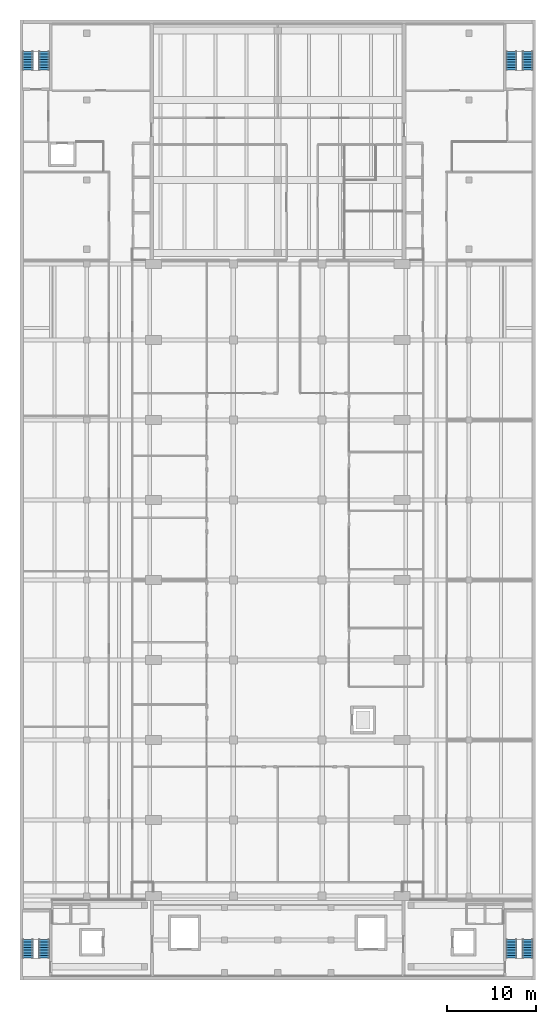
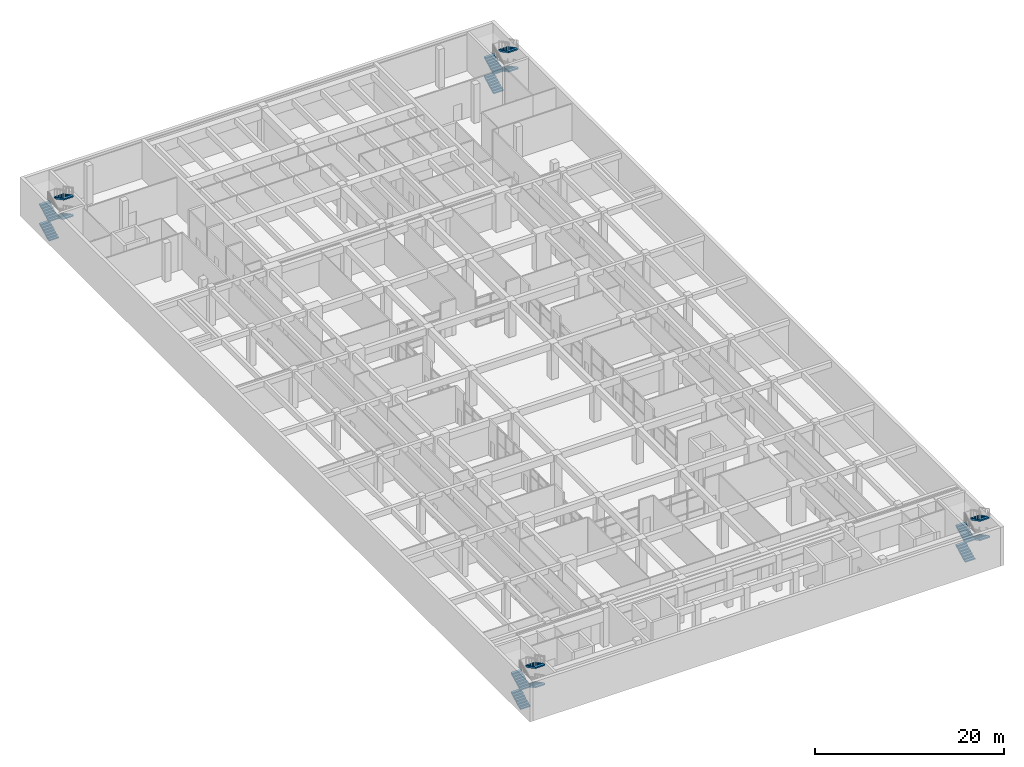
# One storey, part 26 of 29: 16 stair flights, 4 elements without a shape of their own.
"""IFC4 building model written with IfcOpenShell, lengths in metres."""

import ifcopenshell
import ifcopenshell.guid

model = None  # the IFC model being written
_history = None  # IfcOwnerHistory: only IFC2X3 demands one
_inside = {}  # id of a spatial element -> (the spatial element, [elements in it])
_under = {}  # id of a project, library or spatial element -> (it, [spatial elements below it])
_declared = {}  # id of a project -> (the project, [libraries it declares])
_typed = {}  # id of a type object -> (the type object, [elements of that type])
_made_of = {}  # id of a material, layer set ... -> (it, [elements and type objects made of it])


def new_model(schema):
    """Start an empty IFC model of exactly this schema.

    Asked for "IFC4X3", IfcOpenShell would pick the latest addendum, in which some entities
    have other attributes; the version numbers below select the first issue.
    IFC2X3 requires an IfcOwnerHistory on every rooted entity: one is made here for all.
    """
    global model, _history
    if schema == "IFC4X3":
        model = ifcopenshell.file(schema_version=(4, 3, 0, 0))
    else:
        model = ifcopenshell.file(schema=schema)
    _inside.clear()
    _under.clear()
    _declared.clear()
    _typed.clear()
    _made_of.clear()
    _history = None
    if model.schema == "IFC2X3":
        org = make("IfcOrganization", Name="unknown")
        user = make(
            "IfcPersonAndOrganization",
            ThePerson=make("IfcPerson", FamilyName="unknown"),
            TheOrganization=org,
        )
        app = make(
            "IfcApplication",
            ApplicationDeveloper=org,
            Version="unknown",
            ApplicationFullName="unknown",
            ApplicationIdentifier="unknown",
        )
        _history = make(
            "IfcOwnerHistory",
            OwningUser=user,
            OwningApplication=app,
            ChangeAction="ADDED",
            CreationDate=0,
        )
    return model


def make(cls, **values):
    """One entity of the class cls with the attributes given. An attribute that is None is left unset."""
    return model.create_entity(
        cls, **{name: value for name, value in values.items() if value is not None}
    )


def rooted(cls, **values):
    """An entity with a GlobalId (a new one), such as an element, a storey or a relation."""
    return make(cls, GlobalId=ifcopenshell.guid.new(), OwnerHistory=_history, **values)


def si_unit(unit_type, name, prefix=None):
    """IfcSIUnit, for example si_unit("LENGTHUNIT", "METRE", prefix="MILLI")."""
    return make("IfcSIUnit", UnitType=unit_type, Prefix=prefix, Name=name)


def assignment(units):
    """IfcUnitAssignment: the units of a project."""
    return None if units is None else make("IfcUnitAssignment", Units=units)


def point(xyz):
    """IfcCartesianPoint."""
    return None if xyz is None else make("IfcCartesianPoint", Coordinates=xyz)


def direction(xyz):
    """IfcDirection."""
    return None if xyz is None else make("IfcDirection", DirectionRatios=xyz)


def frame(location, z_axis=None, x_axis=None):
    """IfcAxis2Placement3D, a coordinate frame: its origin and axes. An axis left out is left unset."""
    return make(
        "IfcAxis2Placement3D",
        Location=point(location),
        Axis=direction(z_axis),
        RefDirection=direction(x_axis),
    )


def origin():
    """The frame at (0, 0, 0) with its axes left unset."""
    return frame((0.0, 0.0, 0.0))


def place(relative_to, where):
    """IfcLocalPlacement: puts the frame where relative to a parent placement (None: the world)."""
    return make(
        "IfcLocalPlacement", PlacementRelTo=relative_to, RelativePlacement=where
    )


def context(
    kind, dimensions, precision=None, world=None, true_north=None, identifier=None
):
    """IfcGeometricRepresentationContext, for example the 3D "Model" context."""
    return make(
        "IfcGeometricRepresentationContext",
        ContextIdentifier=identifier,
        ContextType=kind,
        CoordinateSpaceDimension=dimensions,
        Precision=precision,
        WorldCoordinateSystem=world,
        TrueNorth=true_north,
    )


def subcontext(parent, identifier, kind, view, scale=None):
    """IfcGeometricRepresentationSubContext, for example "Body" below "Model"."""
    return make(
        "IfcGeometricRepresentationSubContext",
        ContextIdentifier=identifier,
        ContextType=kind,
        ParentContext=parent,
        TargetScale=scale,
        TargetView=view,
    )


def project(units=None, contexts=None):
    """IfcProject with its units and contexts."""
    return rooted(
        "IfcProject",
        Name="project",
        RepresentationContexts=contexts,
        UnitsInContext=assignment(units),
    )


def spatial(cls, under=None, at=None, **own):
    """A site, building, storey or space (cls), placed at a placement, below another one or the project."""
    s = rooted(cls, ObjectPlacement=at, **own)
    if under is not None:
        _under.setdefault(under.id(), (under, []))[1].append(s)
    return s


def polyline(points):
    """IfcPolyline through the points."""
    return make("IfcPolyline", Points=[point(p) for p in points])


def outline(outer, holes=None, kind="AREA"):
    """IfcArbitraryClosedProfileDef: a profile drawn as a closed curve; with holes, ...WithVoids."""
    if holes is None:
        return make("IfcArbitraryClosedProfileDef", ProfileType=kind, OuterCurve=outer)
    return make(
        "IfcArbitraryProfileDefWithVoids",
        ProfileType=kind,
        OuterCurve=outer,
        InnerCurves=holes,
    )


def extrude(swept, where, along, depth):
    """IfcExtrudedAreaSolid: the profile swept, set in the frame where, extruded along a direction by depth."""
    return make(
        "IfcExtrudedAreaSolid",
        SweptArea=swept,
        Position=where,
        ExtrudedDirection=direction(along),
        Depth=depth,
    )


def shape(context_of_items, identifier, shape_type, items):
    """IfcShapeRepresentation: the items that make up one representation, for example the "Body"."""
    return make(
        "IfcShapeRepresentation",
        ContextOfItems=context_of_items,
        RepresentationIdentifier=identifier,
        RepresentationType=shape_type,
        Items=items,
    )


def material(Name=None, Category=None):
    """IfcMaterial."""
    return make("IfcMaterial", Name=Name, Category=Category)


def made_of(thing, what):
    """Note that an element or type object is made of a material, layer set ...; save() writes the relation."""
    if what is not None:
        _made_of.setdefault(what.id(), (what, []))[1].append(thing)
    return thing


def type_object(cls, material=None, **own):
    """A type object (cls), such as IfcWallType, which elements share."""
    return made_of(rooted(cls, **own), material)


def element(
    cls,
    number,
    at=None,
    inside=None,
    cuts=None,
    type_object=None,
    material=None,
    context=None,
    identifier="Body",
    shape_type=None,
    held_by="IfcProductDefinitionShape",
    body=None,
    shapes=None,
    **own,
):
    """One element of the class cls, such as IfcWall. Its Tag is "e" and its number.

    at: its placement. inside: the storey or other place that contains it. cuts: it is an
    opening in that element (IfcRelVoidsElement). A single representation is given by context,
    identifier, shape_type and body (its items); several are given by shapes. held_by: the class
    of the entity that holds the representations. save() writes the other relations.
    """
    e = rooted(cls, Tag="e%d" % number, ObjectPlacement=at, **own)
    if body is not None:
        shapes = [shape(context, identifier, shape_type, body)]
    if shapes is not None:
        e.Representation = make(held_by, Representations=shapes)
    if inside is not None:
        _inside.setdefault(inside.id(), (inside, []))[1].append(e)
    if cuts is not None:
        rooted(
            "IfcRelVoidsElement", RelatingBuildingElement=cuts, RelatedOpeningElement=e
        )
    if type_object is not None:
        _typed.setdefault(type_object.id(), (type_object, []))[1].append(e)
    return made_of(e, material)


def aggregate(whole, parts):
    """IfcRelAggregates: a whole, such as a stair, and the parts it consists of."""
    return rooted("IfcRelAggregates", RelatingObject=whole, RelatedObjects=parts)


def save(model, path):
    """Write the relations noted so far, then the file.

    IfcRelAggregates (storeys below a building ...), IfcRelContainedInSpatialStructure (elements
    in a storey), IfcRelDefinesByType, IfcRelAssociatesMaterial and IfcRelDeclares: one each for
    every whole, place, type object, material and project.
    """
    for whole, parts in _under.values():
        aggregate(whole, parts)
    for where, things in _inside.values():
        rooted(
            "IfcRelContainedInSpatialStructure",
            RelatedElements=things,
            RelatingStructure=where,
        )
    for kind, things in _typed.values():
        rooted("IfcRelDefinesByType", RelatedObjects=things, RelatingType=kind)
    for what, things in _made_of.values():
        rooted("IfcRelAssociatesMaterial", RelatedObjects=things, RelatingMaterial=what)
    for by, libraries in _declared.values():
        rooted("IfcRelDeclares", RelatingContext=by, RelatedDefinitions=libraries)
    model.write(path)


model = new_model("IFC4")

# Units and contexts
model_context = context("Model", 3, precision=1e-05, world=origin(), true_north=direction((0.0, 1.0)))
body_context = subcontext(model_context, "Body", "Model", "MODEL_VIEW")
ifc_project = project(units=[si_unit("LENGTHUNIT", "METRE"), si_unit("AREAUNIT", "SQUARE_METRE"), si_unit("VOLUMEUNIT", "CUBIC_METRE"), si_unit("PLANEANGLEUNIT", "RADIAN"), si_unit("MASSUNIT", "GRAM", prefix="KILO")], contexts=[model_context])

# Site, building, storey
site_placement = place(None, origin())
site = spatial("IfcSite", under=ifc_project, at=site_placement, CompositionType="ELEMENT")
building_placement = place(site_placement, origin())
building = spatial("IfcBuilding", under=site, at=building_placement, Name="Elmora Arch Market Hall", CompositionType="ELEMENT")
storey_placement = place(building_placement, frame((0.0, 0.0, -5.0)))
storey = spatial("IfcBuildingStorey", under=building, at=storey_placement, Name="LG", CompositionType="ELEMENT", Elevation=-5.0)

# Stair, stair flights
ifc_material_1 = material(Name="Concrete C40/50", Category="concrete")
stair_type = type_object("IfcStairType", Name="Exit stair 1200", PredefinedType="TWO_STRAIGHT_RUN_STAIR", material=ifc_material_1)
stair_1_placement = place(storey_placement, origin())
stair_1 = element("IfcStair", 1, at=stair_1_placement, inside=storey, type_object=stair_type, Name="Stair ST-W LG", PredefinedType="TWO_STRAIGHT_RUN_STAIR")
ifc_material_2 = material(Name="Concrete C40/50", Category="concrete")
stair_flight_type = type_object("IfcStairFlightType", Name="Stair flight 1200", PredefinedType="STRAIGHT", material=ifc_material_2)
stair_flight_1_placement = place(storey_placement, frame((0.89990234375, 120.35009765625, 0.0), z_axis=(0.0, 0.0, 1.0), x_axis=(0.0, 1.0, 0.0)))
stair_flight_1 = element("IfcStairFlight", 2, at=stair_flight_1_placement, type_object=stair_flight_type, Name="Stair ST-W LG flight 1", NumberOfRisers=8, NumberOfTreads=7, PredefinedType="STRAIGHT", RiserHeight=0.15625, TreadLength=0.3, context=body_context, shape_type="SweptSolid", body=[
    extrude(outline(polyline([(0.0, 0.0), (0.0, 0.15625), (0.300048828125, 0.15625), (0.300048828125, 0.3125), (0.60009765625, 0.3125), (0.60009765625, 0.46875), (0.89990234375, 0.46875), (0.89990234375, 0.625), (1.199951171875, 0.625), (1.199951171875, 0.78125), (1.5, 0.78125), (1.5, 0.9375), (1.800048828125, 0.9375), (1.800048828125, 1.09375), (2.10009765625, 1.09375), (2.10009765625, 1.25), (2.10009765625, 0.9248046875), (0.324462890625, 0.0), (0.0, 0.0)])), frame((0.0, 0.60009765625, 0.0), z_axis=(0.0, -1.0, 0.0), x_axis=(1.0, 0.0, 0.0)), (0.0, 0.0, 1.0), 1.199951171875),
])
stair_flight_2_placement = place(storey_placement, frame((2.699951171875, 122.449951171875, 1.25), z_axis=(0.0, 0.0, 1.0), x_axis=(0.0, -1.0, 0.0)))
stair_flight_2 = element("IfcStairFlight", 3, at=stair_flight_2_placement, type_object=stair_flight_type, Name="Stair ST-W LG flight 2", NumberOfRisers=8, NumberOfTreads=7, PredefinedType="STRAIGHT", RiserHeight=0.15625, TreadLength=0.3, context=body_context, shape_type="SweptSolid", body=[
    extrude(outline(polyline([(0.0, 0.0), (0.0, 0.15625), (0.300048828125, 0.15625), (0.300048828125, 0.3125), (0.60009765625, 0.3125), (0.60009765625, 0.46875), (0.89990234375, 0.46875), (0.89990234375, 0.625), (1.199951171875, 0.625), (1.199951171875, 0.78125), (1.5, 0.78125), (1.5, 0.9375), (1.800048828125, 0.9375), (1.800048828125, 1.09375), (2.10009765625, 1.09375), (2.10009765625, 1.25), (2.10009765625, 0.9248046875), (0.324462890625, 0.0), (0.0, 0.0)])), frame((0.0, 0.60009765625, 0.0), z_axis=(0.0, -1.0, 0.0), x_axis=(1.0, 0.0, 0.0)), (0.0, 0.0, 1.0), 1.199951171875),
])
stair_flight_3_placement = place(storey_placement, frame((0.89990234375, 120.35009765625, 2.5), z_axis=(0.0, 0.0, 1.0), x_axis=(0.0, 1.0, 0.0)))
stair_flight_3 = element("IfcStairFlight", 4, at=stair_flight_3_placement, type_object=stair_flight_type, Name="Stair ST-W LG flight 3", NumberOfRisers=8, NumberOfTreads=7, PredefinedType="STRAIGHT", RiserHeight=0.15625, TreadLength=0.3, context=body_context, shape_type="SweptSolid", body=[
    extrude(outline(polyline([(0.0, 0.0), (0.0, 0.15625), (0.300048828125, 0.15625), (0.300048828125, 0.3125), (0.60009765625, 0.3125), (0.60009765625, 0.46875), (0.89990234375, 0.46875), (0.89990234375, 0.625), (1.199951171875, 0.625), (1.199951171875, 0.78125), (1.5, 0.78125), (1.5, 0.9375), (1.800048828125, 0.9375), (1.800048828125, 1.09375), (2.10009765625, 1.09375), (2.10009765625, 1.25), (2.10009765625, 0.9248046875), (0.324462890625, 0.0), (0.0, 0.0)])), frame((0.0, 0.60009765625, 0.0), z_axis=(0.0, -1.0, 0.0), x_axis=(1.0, 0.0, 0.0)), (0.0, 0.0, 1.0), 1.199951171875),
])
stair_flight_4_placement = place(storey_placement, frame((2.699951171875, 122.449951171875, 3.75), z_axis=(0.0, 0.0, 1.0), x_axis=(0.0, -1.0, 0.0)))
stair_flight_4 = element("IfcStairFlight", 5, at=stair_flight_4_placement, type_object=stair_flight_type, Name="Stair ST-W LG flight 4", NumberOfRisers=8, NumberOfTreads=7, PredefinedType="STRAIGHT", RiserHeight=0.15625, TreadLength=0.3, context=body_context, shape_type="SweptSolid", body=[
    extrude(outline(polyline([(0.0, 0.0), (0.0, 0.15625), (0.300048828125, 0.15625), (0.300048828125, 0.3125), (0.60009765625, 0.3125), (0.60009765625, 0.46875), (0.89990234375, 0.46875), (0.89990234375, 0.625), (1.199951171875, 0.625), (1.199951171875, 0.78125), (1.5, 0.78125), (1.5, 0.9375), (1.800048828125, 0.9375), (1.800048828125, 1.09375), (2.10009765625, 1.09375), (2.10009765625, 1.25), (2.10009765625, 0.9248046875), (0.324462890625, 0.0), (0.0, 0.0)])), frame((0.0, 0.60009765625, 0.0), z_axis=(0.0, -1.0, 0.0), x_axis=(1.0, 0.0, 0.0)), (0.0, 0.0, 1.0), 1.199951171875),
])
aggregate(stair_1, [stair_flight_1, stair_flight_2, stair_flight_3, stair_flight_4])

stair_2_placement = place(storey_placement, origin())
stair_2 = element("IfcStair", 6, at=stair_2_placement, inside=storey, type_object=stair_type, Name="Stair ST-E LG", PredefinedType="TWO_STRAIGHT_RUN_STAIR")
stair_flight_5_placement = place(storey_placement, frame((55.300048828125, 120.35009765625, 0.0), z_axis=(0.0, 0.0, 1.0), x_axis=(0.0, 1.0, 0.0)))
stair_flight_5 = element("IfcStairFlight", 7, at=stair_flight_5_placement, type_object=stair_flight_type, Name="Stair ST-E LG flight 1", NumberOfRisers=8, NumberOfTreads=7, PredefinedType="STRAIGHT", RiserHeight=0.15625, TreadLength=0.3, context=body_context, shape_type="SweptSolid", body=[
    extrude(outline(polyline([(0.0, 0.0), (0.0, 0.15625), (0.300048828125, 0.15625), (0.300048828125, 0.3125), (0.60009765625, 0.3125), (0.60009765625, 0.46875), (0.89990234375, 0.46875), (0.89990234375, 0.625), (1.199951171875, 0.625), (1.199951171875, 0.78125), (1.5, 0.78125), (1.5, 0.9375), (1.800048828125, 0.9375), (1.800048828125, 1.09375), (2.10009765625, 1.09375), (2.10009765625, 1.25), (2.10009765625, 0.9248046875), (0.324462890625, 0.0), (0.0, 0.0)])), frame((0.0, 0.60009765625, 0.0), z_axis=(0.0, -1.0, 0.0), x_axis=(1.0, 0.0, 0.0)), (0.0, 0.0, 1.0), 1.199951171875),
])
stair_flight_6_placement = place(storey_placement, frame((57.10009765625, 122.449951171875, 1.25), z_axis=(0.0, 0.0, 1.0), x_axis=(0.0, -1.0, 0.0)))
stair_flight_6 = element("IfcStairFlight", 8, at=stair_flight_6_placement, type_object=stair_flight_type, Name="Stair ST-E LG flight 2", NumberOfRisers=8, NumberOfTreads=7, PredefinedType="STRAIGHT", RiserHeight=0.15625, TreadLength=0.3, context=body_context, shape_type="SweptSolid", body=[
    extrude(outline(polyline([(0.0, 0.0), (0.0, 0.15625), (0.300048828125, 0.15625), (0.300048828125, 0.3125), (0.60009765625, 0.3125), (0.60009765625, 0.46875), (0.89990234375, 0.46875), (0.89990234375, 0.625), (1.199951171875, 0.625), (1.199951171875, 0.78125), (1.5, 0.78125), (1.5, 0.9375), (1.800048828125, 0.9375), (1.800048828125, 1.09375), (2.10009765625, 1.09375), (2.10009765625, 1.25), (2.10009765625, 0.9248046875), (0.324462890625, 0.0), (0.0, 0.0)])), frame((0.0, 0.60009765625, 0.0), z_axis=(0.0, -1.0, 0.0), x_axis=(1.0, 0.0, 0.0)), (0.0, 0.0, 1.0), 1.199951171875),
])
stair_flight_7_placement = place(storey_placement, frame((55.300048828125, 120.35009765625, 2.5), z_axis=(0.0, 0.0, 1.0), x_axis=(0.0, 1.0, 0.0)))
stair_flight_7 = element("IfcStairFlight", 9, at=stair_flight_7_placement, type_object=stair_flight_type, Name="Stair ST-E LG flight 3", NumberOfRisers=8, NumberOfTreads=7, PredefinedType="STRAIGHT", RiserHeight=0.15625, TreadLength=0.3, context=body_context, shape_type="SweptSolid", body=[
    extrude(outline(polyline([(0.0, 0.0), (0.0, 0.15625), (0.300048828125, 0.15625), (0.300048828125, 0.3125), (0.60009765625, 0.3125), (0.60009765625, 0.46875), (0.89990234375, 0.46875), (0.89990234375, 0.625), (1.199951171875, 0.625), (1.199951171875, 0.78125), (1.5, 0.78125), (1.5, 0.9375), (1.800048828125, 0.9375), (1.800048828125, 1.09375), (2.10009765625, 1.09375), (2.10009765625, 1.25), (2.10009765625, 0.9248046875), (0.324462890625, 0.0), (0.0, 0.0)])), frame((0.0, 0.60009765625, 0.0), z_axis=(0.0, -1.0, 0.0), x_axis=(1.0, 0.0, 0.0)), (0.0, 0.0, 1.0), 1.199951171875),
])
stair_flight_8_placement = place(storey_placement, frame((57.10009765625, 122.449951171875, 3.75), z_axis=(0.0, 0.0, 1.0), x_axis=(0.0, -1.0, 0.0)))
stair_flight_8 = element("IfcStairFlight", 10, at=stair_flight_8_placement, type_object=stair_flight_type, Name="Stair ST-E LG flight 4", NumberOfRisers=8, NumberOfTreads=7, PredefinedType="STRAIGHT", RiserHeight=0.15625, TreadLength=0.3, context=body_context, shape_type="SweptSolid", body=[
    extrude(outline(polyline([(0.0, 0.0), (0.0, 0.15625), (0.300048828125, 0.15625), (0.300048828125, 0.3125), (0.60009765625, 0.3125), (0.60009765625, 0.46875), (0.89990234375, 0.46875), (0.89990234375, 0.625), (1.199951171875, 0.625), (1.199951171875, 0.78125), (1.5, 0.78125), (1.5, 0.9375), (1.800048828125, 0.9375), (1.800048828125, 1.09375), (2.10009765625, 1.09375), (2.10009765625, 1.25), (2.10009765625, 0.9248046875), (0.324462890625, 0.0), (0.0, 0.0)])), frame((0.0, 0.60009765625, 0.0), z_axis=(0.0, -1.0, 0.0), x_axis=(1.0, 0.0, 0.0)), (0.0, 0.0, 1.0), 1.199951171875),
])
aggregate(stair_2, [stair_flight_5, stair_flight_6, stair_flight_7, stair_flight_8])

stair_3_placement = place(storey_placement, origin())
stair_3 = element("IfcStair", 11, at=stair_3_placement, inside=storey, type_object=stair_type, Name="Stair ST-WS LG", PredefinedType="TWO_STRAIGHT_RUN_STAIR")
stair_flight_9_placement = place(storey_placement, frame((0.89990234375, 20.449951171875, 0.0), z_axis=(0.0, 0.0, 1.0), x_axis=(0.0, 1.0, 0.0)))
stair_flight_9 = element("IfcStairFlight", 12, at=stair_flight_9_placement, type_object=stair_flight_type, Name="Stair ST-WS LG flight 1", NumberOfRisers=8, NumberOfTreads=7, PredefinedType="STRAIGHT", RiserHeight=0.15625, TreadLength=0.3, context=body_context, shape_type="SweptSolid", body=[
    extrude(outline(polyline([(0.0, 0.0), (0.0, 0.15625), (0.300048828125, 0.15625), (0.300048828125, 0.3125), (0.60009765625, 0.3125), (0.60009765625, 0.46875), (0.89990234375, 0.46875), (0.89990234375, 0.625), (1.199951171875, 0.625), (1.199951171875, 0.78125), (1.5, 0.78125), (1.5, 0.9375), (1.800048828125, 0.9375), (1.800048828125, 1.09375), (2.10009765625, 1.09375), (2.10009765625, 1.25), (2.10009765625, 0.9248046875), (0.324462890625, 0.0), (0.0, 0.0)])), frame((0.0, 0.60009765625, 0.0), z_axis=(0.0, -1.0, 0.0), x_axis=(1.0, 0.0, 0.0)), (0.0, 0.0, 1.0), 1.199951171875),
])
stair_flight_10_placement = place(storey_placement, frame((2.699951171875, 22.550048828125, 1.25), z_axis=(0.0, 0.0, 1.0), x_axis=(0.0, -1.0, 0.0)))
stair_flight_10 = element("IfcStairFlight", 13, at=stair_flight_10_placement, type_object=stair_flight_type, Name="Stair ST-WS LG flight 2", NumberOfRisers=8, NumberOfTreads=7, PredefinedType="STRAIGHT", RiserHeight=0.15625, TreadLength=0.3, context=body_context, shape_type="SweptSolid", body=[
    extrude(outline(polyline([(0.0, 0.0), (0.0, 0.15625), (0.300048828125, 0.15625), (0.300048828125, 0.3125), (0.60009765625, 0.3125), (0.60009765625, 0.46875), (0.89990234375, 0.46875), (0.89990234375, 0.625), (1.199951171875, 0.625), (1.199951171875, 0.78125), (1.5, 0.78125), (1.5, 0.9375), (1.800048828125, 0.9375), (1.800048828125, 1.09375), (2.10009765625, 1.09375), (2.10009765625, 1.25), (2.10009765625, 0.9248046875), (0.324462890625, 0.0), (0.0, 0.0)])), frame((0.0, 0.60009765625, 0.0), z_axis=(0.0, -1.0, 0.0), x_axis=(1.0, 0.0, 0.0)), (0.0, 0.0, 1.0), 1.199951171875),
])
stair_flight_11_placement = place(storey_placement, frame((0.89990234375, 20.449951171875, 2.5), z_axis=(0.0, 0.0, 1.0), x_axis=(0.0, 1.0, 0.0)))
stair_flight_11 = element("IfcStairFlight", 14, at=stair_flight_11_placement, type_object=stair_flight_type, Name="Stair ST-WS LG flight 3", NumberOfRisers=8, NumberOfTreads=7, PredefinedType="STRAIGHT", RiserHeight=0.15625, TreadLength=0.3, context=body_context, shape_type="SweptSolid", body=[
    extrude(outline(polyline([(0.0, 0.0), (0.0, 0.15625), (0.300048828125, 0.15625), (0.300048828125, 0.3125), (0.60009765625, 0.3125), (0.60009765625, 0.46875), (0.89990234375, 0.46875), (0.89990234375, 0.625), (1.199951171875, 0.625), (1.199951171875, 0.78125), (1.5, 0.78125), (1.5, 0.9375), (1.800048828125, 0.9375), (1.800048828125, 1.09375), (2.10009765625, 1.09375), (2.10009765625, 1.25), (2.10009765625, 0.9248046875), (0.324462890625, 0.0), (0.0, 0.0)])), frame((0.0, 0.60009765625, 0.0), z_axis=(0.0, -1.0, 0.0), x_axis=(1.0, 0.0, 0.0)), (0.0, 0.0, 1.0), 1.199951171875),
])
stair_flight_12_placement = place(storey_placement, frame((2.699951171875, 22.550048828125, 3.75), z_axis=(0.0, 0.0, 1.0), x_axis=(0.0, -1.0, 0.0)))
stair_flight_12 = element("IfcStairFlight", 15, at=stair_flight_12_placement, type_object=stair_flight_type, Name="Stair ST-WS LG flight 4", NumberOfRisers=8, NumberOfTreads=7, PredefinedType="STRAIGHT", RiserHeight=0.15625, TreadLength=0.3, context=body_context, shape_type="SweptSolid", body=[
    extrude(outline(polyline([(0.0, 0.0), (0.0, 0.15625), (0.300048828125, 0.15625), (0.300048828125, 0.3125), (0.60009765625, 0.3125), (0.60009765625, 0.46875), (0.89990234375, 0.46875), (0.89990234375, 0.625), (1.199951171875, 0.625), (1.199951171875, 0.78125), (1.5, 0.78125), (1.5, 0.9375), (1.800048828125, 0.9375), (1.800048828125, 1.09375), (2.10009765625, 1.09375), (2.10009765625, 1.25), (2.10009765625, 0.9248046875), (0.324462890625, 0.0), (0.0, 0.0)])), frame((0.0, 0.60009765625, 0.0), z_axis=(0.0, -1.0, 0.0), x_axis=(1.0, 0.0, 0.0)), (0.0, 0.0, 1.0), 1.199951171875),
])
aggregate(stair_3, [stair_flight_9, stair_flight_10, stair_flight_11, stair_flight_12])

stair_4_placement = place(storey_placement, origin())
stair_4 = element("IfcStair", 16, at=stair_4_placement, inside=storey, type_object=stair_type, Name="Stair ST-ES LG", PredefinedType="TWO_STRAIGHT_RUN_STAIR")
stair_flight_13_placement = place(storey_placement, frame((55.300048828125, 20.449951171875, 0.0), z_axis=(0.0, 0.0, 1.0), x_axis=(0.0, 1.0, 0.0)))
stair_flight_13 = element("IfcStairFlight", 17, at=stair_flight_13_placement, type_object=stair_flight_type, Name="Stair ST-ES LG flight 1", NumberOfRisers=8, NumberOfTreads=7, PredefinedType="STRAIGHT", RiserHeight=0.15625, TreadLength=0.3, context=body_context, shape_type="SweptSolid", body=[
    extrude(outline(polyline([(0.0, 0.0), (0.0, 0.15625), (0.300048828125, 0.15625), (0.300048828125, 0.3125), (0.60009765625, 0.3125), (0.60009765625, 0.46875), (0.89990234375, 0.46875), (0.89990234375, 0.625), (1.199951171875, 0.625), (1.199951171875, 0.78125), (1.5, 0.78125), (1.5, 0.9375), (1.800048828125, 0.9375), (1.800048828125, 1.09375), (2.10009765625, 1.09375), (2.10009765625, 1.25), (2.10009765625, 0.9248046875), (0.324462890625, 0.0), (0.0, 0.0)])), frame((0.0, 0.60009765625, 0.0), z_axis=(0.0, -1.0, 0.0), x_axis=(1.0, 0.0, 0.0)), (0.0, 0.0, 1.0), 1.199951171875),
])
stair_flight_14_placement = place(storey_placement, frame((57.10009765625, 22.550048828125, 1.25), z_axis=(0.0, 0.0, 1.0), x_axis=(0.0, -1.0, 0.0)))
stair_flight_14 = element("IfcStairFlight", 18, at=stair_flight_14_placement, type_object=stair_flight_type, Name="Stair ST-ES LG flight 2", NumberOfRisers=8, NumberOfTreads=7, PredefinedType="STRAIGHT", RiserHeight=0.15625, TreadLength=0.3, context=body_context, shape_type="SweptSolid", body=[
    extrude(outline(polyline([(0.0, 0.0), (0.0, 0.15625), (0.300048828125, 0.15625), (0.300048828125, 0.3125), (0.60009765625, 0.3125), (0.60009765625, 0.46875), (0.89990234375, 0.46875), (0.89990234375, 0.625), (1.199951171875, 0.625), (1.199951171875, 0.78125), (1.5, 0.78125), (1.5, 0.9375), (1.800048828125, 0.9375), (1.800048828125, 1.09375), (2.10009765625, 1.09375), (2.10009765625, 1.25), (2.10009765625, 0.9248046875), (0.324462890625, 0.0), (0.0, 0.0)])), frame((0.0, 0.60009765625, 0.0), z_axis=(0.0, -1.0, 0.0), x_axis=(1.0, 0.0, 0.0)), (0.0, 0.0, 1.0), 1.199951171875),
])
stair_flight_15_placement = place(storey_placement, frame((55.300048828125, 20.449951171875, 2.5), z_axis=(0.0, 0.0, 1.0), x_axis=(0.0, 1.0, 0.0)))
stair_flight_15 = element("IfcStairFlight", 19, at=stair_flight_15_placement, type_object=stair_flight_type, Name="Stair ST-ES LG flight 3", NumberOfRisers=8, NumberOfTreads=7, PredefinedType="STRAIGHT", RiserHeight=0.15625, TreadLength=0.3, context=body_context, shape_type="SweptSolid", body=[
    extrude(outline(polyline([(0.0, 0.0), (0.0, 0.15625), (0.300048828125, 0.15625), (0.300048828125, 0.3125), (0.60009765625, 0.3125), (0.60009765625, 0.46875), (0.89990234375, 0.46875), (0.89990234375, 0.625), (1.199951171875, 0.625), (1.199951171875, 0.78125), (1.5, 0.78125), (1.5, 0.9375), (1.800048828125, 0.9375), (1.800048828125, 1.09375), (2.10009765625, 1.09375), (2.10009765625, 1.25), (2.10009765625, 0.9248046875), (0.324462890625, 0.0), (0.0, 0.0)])), frame((0.0, 0.60009765625, 0.0), z_axis=(0.0, -1.0, 0.0), x_axis=(1.0, 0.0, 0.0)), (0.0, 0.0, 1.0), 1.199951171875),
])
stair_flight_16_placement = place(storey_placement, frame((57.10009765625, 22.550048828125, 3.75), z_axis=(0.0, 0.0, 1.0), x_axis=(0.0, -1.0, 0.0)))
stair_flight_16 = element("IfcStairFlight", 20, at=stair_flight_16_placement, type_object=stair_flight_type, Name="Stair ST-ES LG flight 4", NumberOfRisers=8, NumberOfTreads=7, PredefinedType="STRAIGHT", RiserHeight=0.15625, TreadLength=0.3, context=body_context, shape_type="SweptSolid", body=[
    extrude(outline(polyline([(0.0, 0.0), (0.0, 0.15625), (0.300048828125, 0.15625), (0.300048828125, 0.3125), (0.60009765625, 0.3125), (0.60009765625, 0.46875), (0.89990234375, 0.46875), (0.89990234375, 0.625), (1.199951171875, 0.625), (1.199951171875, 0.78125), (1.5, 0.78125), (1.5, 0.9375), (1.800048828125, 0.9375), (1.800048828125, 1.09375), (2.10009765625, 1.09375), (2.10009765625, 1.25), (2.10009765625, 0.9248046875), (0.324462890625, 0.0), (0.0, 0.0)])), frame((0.0, 0.60009765625, 0.0), z_axis=(0.0, -1.0, 0.0), x_axis=(1.0, 0.0, 0.0)), (0.0, 0.0, 1.0), 1.199951171875),
])
aggregate(stair_4, [stair_flight_13, stair_flight_14, stair_flight_15, stair_flight_16])

save(model, "model.ifc")
